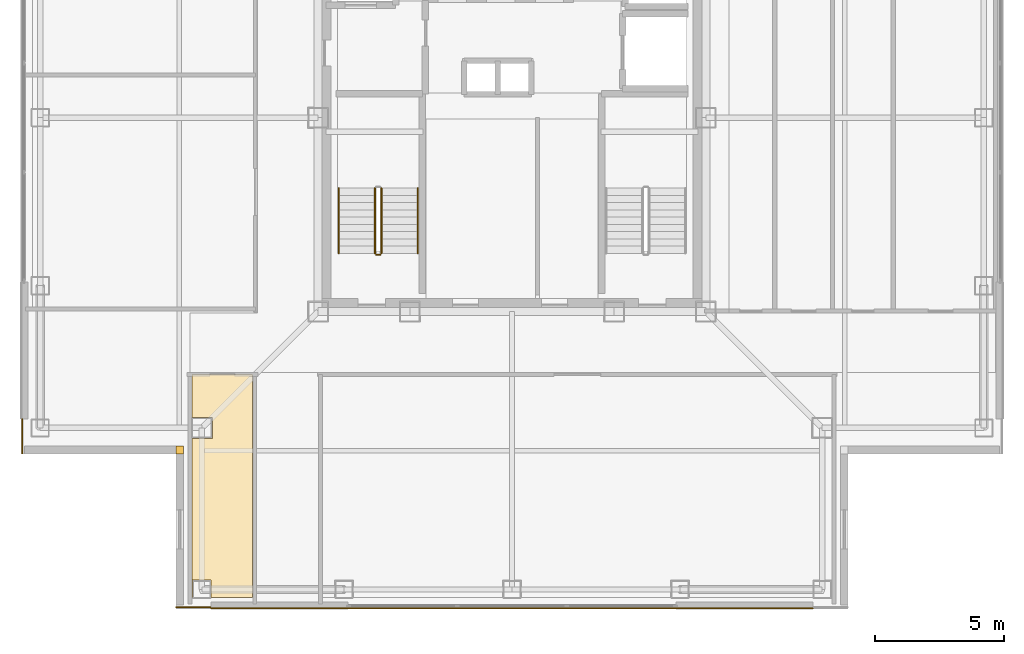
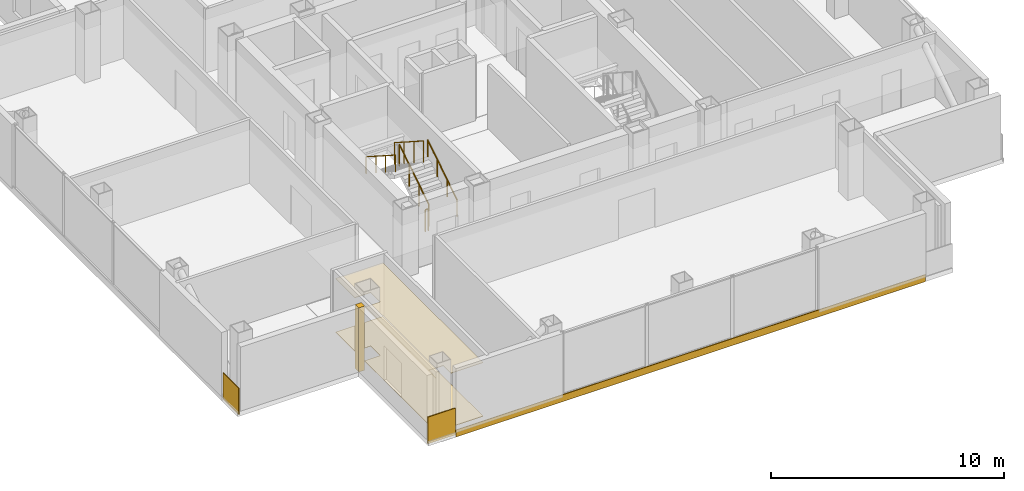
# One storey, part 11 of 16: 6 coverings, 5 railings.
"""IFC4 building model written with IfcOpenShell, lengths in metres."""

import ifcopenshell
import ifcopenshell.guid

model = None  # the IFC model being written
_history = None  # IfcOwnerHistory: only IFC2X3 demands one
_inside = {}  # id of a spatial element -> (the spatial element, [elements in it])
_under = {}  # id of a project, library or spatial element -> (it, [spatial elements below it])
_declared = {}  # id of a project -> (the project, [libraries it declares])
_typed = {}  # id of a type object -> (the type object, [elements of that type])
_made_of = {}  # id of a material, layer set ... -> (it, [elements and type objects made of it])


def new_model(schema):
    """Start an empty IFC model of exactly this schema.

    Asked for "IFC4X3", IfcOpenShell would pick the latest addendum, in which some entities
    have other attributes; the version numbers below select the first issue.
    IFC2X3 requires an IfcOwnerHistory on every rooted entity: one is made here for all.
    """
    global model, _history
    if schema == "IFC4X3":
        model = ifcopenshell.file(schema_version=(4, 3, 0, 0))
    else:
        model = ifcopenshell.file(schema=schema)
    _inside.clear()
    _under.clear()
    _declared.clear()
    _typed.clear()
    _made_of.clear()
    _history = None
    if model.schema == "IFC2X3":
        org = make("IfcOrganization", Name="unknown")
        user = make(
            "IfcPersonAndOrganization",
            ThePerson=make("IfcPerson", FamilyName="unknown"),
            TheOrganization=org,
        )
        app = make(
            "IfcApplication",
            ApplicationDeveloper=org,
            Version="unknown",
            ApplicationFullName="unknown",
            ApplicationIdentifier="unknown",
        )
        _history = make(
            "IfcOwnerHistory",
            OwningUser=user,
            OwningApplication=app,
            ChangeAction="ADDED",
            CreationDate=0,
        )
    return model


def make(cls, **values):
    """One entity of the class cls with the attributes given. An attribute that is None is left unset."""
    return model.create_entity(
        cls, **{name: value for name, value in values.items() if value is not None}
    )


def rooted(cls, **values):
    """An entity with a GlobalId (a new one), such as an element, a storey or a relation."""
    return make(cls, GlobalId=ifcopenshell.guid.new(), OwnerHistory=_history, **values)


def si_unit(unit_type, name, prefix=None):
    """IfcSIUnit, for example si_unit("LENGTHUNIT", "METRE", prefix="MILLI")."""
    return make("IfcSIUnit", UnitType=unit_type, Prefix=prefix, Name=name)


def assignment(units):
    """IfcUnitAssignment: the units of a project."""
    return None if units is None else make("IfcUnitAssignment", Units=units)


def point(xyz):
    """IfcCartesianPoint."""
    return None if xyz is None else make("IfcCartesianPoint", Coordinates=xyz)


def direction(xyz):
    """IfcDirection."""
    return None if xyz is None else make("IfcDirection", DirectionRatios=xyz)


def frame(location, z_axis=None, x_axis=None):
    """IfcAxis2Placement3D, a coordinate frame: its origin and axes. An axis left out is left unset."""
    return make(
        "IfcAxis2Placement3D",
        Location=point(location),
        Axis=direction(z_axis),
        RefDirection=direction(x_axis),
    )


def frame_2d(location, x_axis=None):
    """IfcAxis2Placement2D, a coordinate frame in the plane: its origin and x axis."""
    return make(
        "IfcAxis2Placement2D", Location=point(location), RefDirection=direction(x_axis)
    )


def origin():
    """The frame at (0, 0, 0) with its axes left unset."""
    return frame((0.0, 0.0, 0.0))


def origin_2d():
    """The frame at (0, 0) in the plane with its x axis left unset."""
    return frame_2d((0.0, 0.0))


def place(relative_to, where):
    """IfcLocalPlacement: puts the frame where relative to a parent placement (None: the world)."""
    return make(
        "IfcLocalPlacement", PlacementRelTo=relative_to, RelativePlacement=where
    )


def context(
    kind, dimensions, precision=None, world=None, true_north=None, identifier=None
):
    """IfcGeometricRepresentationContext, for example the 3D "Model" context."""
    return make(
        "IfcGeometricRepresentationContext",
        ContextIdentifier=identifier,
        ContextType=kind,
        CoordinateSpaceDimension=dimensions,
        Precision=precision,
        WorldCoordinateSystem=world,
        TrueNorth=true_north,
    )


def subcontext(parent, identifier, kind, view, scale=None):
    """IfcGeometricRepresentationSubContext, for example "Body" below "Model"."""
    return make(
        "IfcGeometricRepresentationSubContext",
        ContextIdentifier=identifier,
        ContextType=kind,
        ParentContext=parent,
        TargetScale=scale,
        TargetView=view,
    )


def project(units=None, contexts=None):
    """IfcProject with its units and contexts."""
    return rooted(
        "IfcProject",
        Name="project",
        RepresentationContexts=contexts,
        UnitsInContext=assignment(units),
    )


def spatial(cls, under=None, at=None, **own):
    """A site, building, storey or space (cls), placed at a placement, below another one or the project."""
    s = rooted(cls, ObjectPlacement=at, **own)
    if under is not None:
        _under.setdefault(under.id(), (under, []))[1].append(s)
    return s


def polyline(points):
    """IfcPolyline through the points."""
    return make("IfcPolyline", Points=[point(p) for p in points])


def profile(cls, at=None, kind="AREA", **sizes):
    """A parametric profile (cls). Its sizes go by their IFC names, for example OverallWidth=200.0."""
    return make(cls, ProfileType=kind, Position=at, **sizes)


def rectangle(**sizes):
    """IfcRectangleProfileDef."""
    return profile("IfcRectangleProfileDef", **sizes)


def circle(**sizes):
    """IfcCircleProfileDef."""
    return profile("IfcCircleProfileDef", **sizes)


def outline(outer, holes=None, kind="AREA"):
    """IfcArbitraryClosedProfileDef: a profile drawn as a closed curve; with holes, ...WithVoids."""
    if holes is None:
        return make("IfcArbitraryClosedProfileDef", ProfileType=kind, OuterCurve=outer)
    return make(
        "IfcArbitraryProfileDefWithVoids",
        ProfileType=kind,
        OuterCurve=outer,
        InnerCurves=holes,
    )


def extrude(swept, where, along, depth):
    """IfcExtrudedAreaSolid: the profile swept, set in the frame where, extruded along a direction by depth."""
    return make(
        "IfcExtrudedAreaSolid",
        SweptArea=swept,
        Position=where,
        ExtrudedDirection=direction(along),
        Depth=depth,
    )


def shape(context_of_items, identifier, shape_type, items):
    """IfcShapeRepresentation: the items that make up one representation, for example the "Body"."""
    return make(
        "IfcShapeRepresentation",
        ContextOfItems=context_of_items,
        RepresentationIdentifier=identifier,
        RepresentationType=shape_type,
        Items=items,
    )


def material(Name=None, Category=None):
    """IfcMaterial."""
    return make("IfcMaterial", Name=Name, Category=Category)


def layer(
    of_material, thickness, ventilated=None, Name=None, Category=None, Priority=None
):
    """IfcMaterialLayer: one layer of a wall or slab, of a material (None: an air gap)."""
    return make(
        "IfcMaterialLayer",
        Material=of_material,
        LayerThickness=thickness,
        IsVentilated=ventilated,
        Name=Name,
        Category=Category,
        Priority=Priority,
    )


def layer_set(layers, Name=None):
    """IfcMaterialLayerSet."""
    return make("IfcMaterialLayerSet", MaterialLayers=layers, LayerSetName=Name)


def made_of(thing, what):
    """Note that an element or type object is made of a material, layer set ...; save() writes the relation."""
    if what is not None:
        _made_of.setdefault(what.id(), (what, []))[1].append(thing)
    return thing


def type_object(cls, material=None, **own):
    """A type object (cls), such as IfcWallType, which elements share."""
    return made_of(rooted(cls, **own), material)


def element(
    cls,
    number,
    at=None,
    inside=None,
    cuts=None,
    type_object=None,
    material=None,
    context=None,
    identifier="Body",
    shape_type=None,
    held_by="IfcProductDefinitionShape",
    body=None,
    shapes=None,
    **own,
):
    """One element of the class cls, such as IfcWall. Its Tag is "e" and its number.

    at: its placement. inside: the storey or other place that contains it. cuts: it is an
    opening in that element (IfcRelVoidsElement). A single representation is given by context,
    identifier, shape_type and body (its items); several are given by shapes. held_by: the class
    of the entity that holds the representations. save() writes the other relations.
    """
    e = rooted(cls, Tag="e%d" % number, ObjectPlacement=at, **own)
    if body is not None:
        shapes = [shape(context, identifier, shape_type, body)]
    if shapes is not None:
        e.Representation = make(held_by, Representations=shapes)
    if inside is not None:
        _inside.setdefault(inside.id(), (inside, []))[1].append(e)
    if cuts is not None:
        rooted(
            "IfcRelVoidsElement", RelatingBuildingElement=cuts, RelatedOpeningElement=e
        )
    if type_object is not None:
        _typed.setdefault(type_object.id(), (type_object, []))[1].append(e)
    return made_of(e, material)


def aggregate(whole, parts):
    """IfcRelAggregates: a whole, such as a stair, and the parts it consists of."""
    return rooted("IfcRelAggregates", RelatingObject=whole, RelatedObjects=parts)


def save(model, path):
    """Write the relations noted so far, then the file.

    IfcRelAggregates (storeys below a building ...), IfcRelContainedInSpatialStructure (elements
    in a storey), IfcRelDefinesByType, IfcRelAssociatesMaterial and IfcRelDeclares: one each for
    every whole, place, type object, material and project.
    """
    for whole, parts in _under.values():
        aggregate(whole, parts)
    for where, things in _inside.values():
        rooted(
            "IfcRelContainedInSpatialStructure",
            RelatedElements=things,
            RelatingStructure=where,
        )
    for kind, things in _typed.values():
        rooted("IfcRelDefinesByType", RelatedObjects=things, RelatingType=kind)
    for what, things in _made_of.values():
        rooted("IfcRelAssociatesMaterial", RelatedObjects=things, RelatingMaterial=what)
    for by, libraries in _declared.values():
        rooted("IfcRelDeclares", RelatingContext=by, RelatedDefinitions=libraries)
    model.write(path)


model = new_model("IFC4")

# Units and contexts
model_context = context("Model", 3, precision=1e-05, world=origin(), true_north=direction((0.0, 1.0)))
body_context = subcontext(model_context, "Body", "Model", "MODEL_VIEW")
ifc_project = project(units=[si_unit("LENGTHUNIT", "METRE"), si_unit("AREAUNIT", "SQUARE_METRE"), si_unit("VOLUMEUNIT", "CUBIC_METRE"), si_unit("PLANEANGLEUNIT", "RADIAN"), si_unit("MASSUNIT", "GRAM", prefix="KILO")], contexts=[model_context])

# Site, building, storey
site_placement = place(None, origin())
site = spatial("IfcSite", under=ifc_project, at=site_placement, CompositionType="ELEMENT")
building_placement = place(site_placement, origin())
building = spatial("IfcBuilding", under=site, at=building_placement, Name="Trevonay Congress Spire", CompositionType="ELEMENT")
storey_placement = place(building_placement, frame((0.0, 0.0, 257.60009765625)))
storey = spatial("IfcBuildingStorey", under=building, at=storey_placement, Name="L67", CompositionType="ELEMENT", Elevation=257.60009765625)

# Coverings
ifc_material_1 = material(Name="Acoustic Mineral Fibre Board", Category="gypsum")
ifc_layer_1 = layer(ifc_material_1, 0.02490234375, Name="Acoustic Mineral Fibre Board")
ifc_layer_set_1 = layer_set([ifc_layer_1], Name="Acoustic Mineral Fibre Board")
covering_type_1 = type_object("IfcCoveringType", Name="COV-CEIL-ACOUSTIC", PredefinedType="CEILING", material=ifc_layer_set_1)
covering_1_placement = place(storey_placement, frame((0.0, 0.0, 2.809814453125)))
element("IfcCovering", 1, at=covering_1_placement, inside=storey, type_object=covering_type_1, Name="L67 Chef Tasting Private Dining Room acoustic suspended ceiling", PredefinedType="CEILING", context=body_context, shape_type="SweptSolid", body=[
    extrude(outline(polyline([(-12.3701171875, -18.550048828125), (-12.3701171875, -12.409912109375), (-11.590087890625, -12.409912109375), (-11.590087890625, -11.590087890625), (-12.3701171875, -11.590087890625), (-12.3701171875, -9.929931640625), (-10.030029296875, -9.929931640625), (-10.030029296875, -18.550048828125), (-11.639892578125, -18.550048828125), (-11.639892578125, -17.889892578125), (-12.360107421875, -17.889892578125), (-12.360107421875, -18.550048828125), (-12.3701171875, -18.550048828125)])), origin(), (0.0, 0.0, 1.0), 0.025146484375),
])
ifc_material_2 = material(Name="Polished Granite Floor Tile", Category="masonry")
ifc_layer_2 = layer(ifc_material_2, 0.02001953125, Name="Polished Granite Floor Tile")
ifc_layer_set_2 = layer_set([ifc_layer_2], Name="Polished Granite Floor Tile")
covering_type_2 = type_object("IfcCoveringType", Name="COV-FLOOR-STONE", PredefinedType="FLOORING", material=ifc_layer_set_2)
covering_2_placement = place(storey_placement, origin())
element("IfcCovering", 2, at=covering_2_placement, inside=storey, type_object=covering_type_2, Name="L67 Chef Tasting Private Dining Room floor finish", PredefinedType="FLOORING", context=body_context, shape_type="SweptSolid", body=[
    extrude(outline(polyline([(-12.3701171875, -18.550048828125), (-12.3701171875, -12.409912109375), (-11.590087890625, -12.409912109375), (-11.590087890625, -11.590087890625), (-12.3701171875, -11.590087890625), (-12.3701171875, -9.929931640625), (-10.030029296875, -9.929931640625), (-10.030029296875, -18.550048828125), (-11.639892578125, -18.550048828125), (-11.639892578125, -17.889892578125), (-12.360107421875, -17.889892578125), (-12.360107421875, -18.550048828125), (-12.3701171875, -18.550048828125)])), origin(), (0.0, 0.0, 1.0), 0.02001953125),
])
ifc_material_3 = material(Name="Pale Anodised Aluminium EN AW-6063-T6", Category="aluminium")
ifc_layer_3 = layer(ifc_material_3, 0.0400390625, Name="Pale Anodised Aluminium EN AW-6063-T6")
ifc_layer_set_3 = layer_set([ifc_layer_3], Name="Pale Anodised Aluminium EN AW-6063-T6")
covering_type_3 = type_object("IfcCoveringType", Name="COV-SPANDREL-PALE-METAL", PredefinedType="CLADDING", material=ifc_layer_set_3)
covering_3_placement = place(storey_placement, frame((-11.64990234375, -18.97998046875, -0.239990234375), z_axis=(0.0, 0.0, 1.0), x_axis=(1.0, 0.0, 0.0)))
element("IfcCovering", 3, at=covering_3_placement, inside=storey, type_object=covering_type_3, Name="L67 S pale-metal slab-edge spandrel cladding", PredefinedType="CLADDING", context=body_context, shape_type="SweptSolid", body=[
    extrude(rectangle(XDim=23.2998046875, YDim=0.0400390625, at=frame_2d((11.64990234375, 0.0))), origin(), (0.0, 0.0, 1.0), 0.35986328125),
])
covering_4_placement = place(storey_placement, origin())
element("IfcCovering", 4, at=covering_4_placement, inside=storey, type_object=covering_type_3, Name="L67 SW re-entrant notch corner closure trim", PredefinedType="CLADDING", context=body_context, shape_type="SweptSolid", body=[
    extrude(outline(polyline([(-13.0, -13.0), (-12.699951171875, -13.0), (-12.699951171875, -12.699951171875), (-13.0, -12.699951171875), (-13.0, -13.0)])), origin(), (0.0, 0.0, 1.0), 3.35986328125),
])
for number, where, z_axis, x_axis, name in (
    (5, (-18.93994140625, -11.64990234375, -0.150146484375), (0.0, 0.0, 1.0), (0.0, -1.0, 0.0), "L67 SW corner pier spandrel cladding 1"),
    (6, (-11.64990234375, -18.93994140625, -0.150146484375), (0.0, 0.0, 1.0), (-1.0, 0.0, 0.0), "L67 SW corner pier spandrel cladding 2"),
):
    element("IfcCovering", number, at=place(storey_placement, frame(where, z_axis=z_axis, x_axis=x_axis)), inside=storey, type_object=covering_type_3, Name=name, PredefinedType="CLADDING", context=body_context, shape_type="SweptSolid", body=[
        extrude(rectangle(XDim=1.35009765625, YDim=0.0400390625, at=frame_2d((0.675048828125, 0.0))), origin(), (0.0, 0.0, 1.0), 1.400146484375),
    ])

# Railings
railing_type_1 = type_object("IfcRailingType", Name="RAL-STAIR-GUARD-110", PredefinedType="GUARDRAIL", material=ifc_material_3)
railing_1_placement = place(storey_placement, frame((-5.050048828125, -5.25, 0.179931640625)))
element("IfcRailing", 7, at=railing_1_placement, inside=storey, type_object=railing_type_1, Name="L67 ST-1 stair guard 1", PredefinedType="GUARDRAIL", context=body_context, shape_type="SweptSolid", body=[
    extrude(circle(Radius=0.02392578125, at=origin_2d()), frame((0.0, 0.0, 1.1259765625), z_axis=(0.0, 0.841199657755, 0.540724639528), x_axis=(-1.0, 0.0, 0.0)), (0.0, 0.0, 1.0), 2.995849609375),
    extrude(circle(Radius=0.02099609375, at=origin_2d()), origin(), (0.0, 0.0, 1.0), 1.101806640625),
    extrude(circle(Radius=0.02099609375, at=origin_2d()), frame((0.0, 0.840087890625, 0.5400390625)), (0.0, 0.0, 1.0), 1.101806640625),
    extrude(circle(Radius=0.02099609375, at=origin_2d()), frame((0.0, 1.679931640625, 1.079833984375)), (0.0, 0.0, 1.0), 1.101806640625),
    extrude(circle(Radius=0.02099609375, at=origin_2d()), frame((0.0, 2.52001953125, 1.619873046875)), (0.0, 0.0, 1.0), 1.101806640625),
])
railing_2_placement = place(storey_placement, frame((-5.300048828125, -2.72998046875, 1.97998046875)))
element("IfcRailing", 8, at=railing_2_placement, inside=storey, type_object=railing_type_1, Name="L67 ST-1 stair guard 3", PredefinedType="GUARDRAIL", context=body_context, shape_type="SweptSolid", body=[
    extrude(circle(Radius=0.02392578125, at=origin_2d()), frame((0.0, 0.0, 1.1259765625), z_axis=(0.0, -0.841199657755, 0.540724639528), x_axis=(1.0, 0.0, 0.0)), (0.0, 0.0, 1.0), 2.995849609375),
    extrude(circle(Radius=0.02099609375, at=origin_2d()), origin(), (0.0, 0.0, 1.0), 1.101806640625),
    extrude(circle(Radius=0.02099609375, at=origin_2d()), frame((0.0, -0.840087890625, 0.5400390625)), (0.0, 0.0, 1.0), 1.101806640625),
    extrude(circle(Radius=0.02099609375, at=origin_2d()), frame((0.0, -1.679931640625, 1.079833984375)), (0.0, 0.0, 1.0), 1.101806640625),
    extrude(circle(Radius=0.02099609375, at=origin_2d()), frame((0.0, -2.52001953125, 1.619873046875)), (0.0, 0.0, 1.0), 1.101806640625),
])
railing_3_placement = place(storey_placement, frame((-5.10009765625, -5.300048828125, 0.0)))
element("IfcRailing", 9, at=railing_3_placement, inside=storey, type_object=railing_type_1, Name="L67 ST-1 stair guard 4", PredefinedType="GUARDRAIL", context=body_context, shape_type="SweptSolid", body=[
    extrude(circle(Radius=0.02392578125, at=origin_2d()), frame((0.0, 0.0, 1.1259765625), z_axis=(-1.0, 0.0, 0.0), x_axis=(0.0, -1.0, 0.0)), (0.0, 0.0, 1.0), 0.14990234375),
    extrude(circle(Radius=0.02099609375, at=origin_2d()), origin(), (0.0, 0.0, 1.0), 1.101806640625),
    extrude(circle(Radius=0.02099609375, at=origin_2d()), frame((-0.14990234375, 0.0, 0.0)), (0.0, 0.0, 1.0), 1.101806640625),
])
railing_type_2 = type_object("IfcRailingType", Name="RAL-STAIR-HANDRAIL", PredefinedType="HANDRAIL", material=ifc_material_3)
railing_4_placement = place(storey_placement, frame((-3.64990234375, -5.25, 0.179931640625)))
element("IfcRailing", 10, at=railing_4_placement, inside=storey, type_object=railing_type_2, Name="L67 ST-1 stair handrail 1", PredefinedType="HANDRAIL", context=body_context, shape_type="SweptSolid", body=[
    extrude(circle(Radius=0.02392578125, at=origin_2d()), frame((0.0, 0.0, 0.8759765625), z_axis=(0.0, 0.841199657755, 0.540724639528), x_axis=(-1.0, 0.0, 0.0)), (0.0, 0.0, 1.0), 2.995849609375),
    extrude(circle(Radius=0.02099609375, at=origin_2d()), origin(), (0.0, 0.0, 1.0), 0.851806640625),
    extrude(circle(Radius=0.02099609375, at=origin_2d()), frame((0.0, 0.840087890625, 0.5400390625)), (0.0, 0.0, 1.0), 0.851806640625),
    extrude(circle(Radius=0.02099609375, at=origin_2d()), frame((0.0, 1.679931640625, 1.079833984375)), (0.0, 0.0, 1.0), 0.851806640625),
    extrude(circle(Radius=0.02099609375, at=origin_2d()), frame((0.0, 2.52001953125, 1.619873046875)), (0.0, 0.0, 1.0), 0.851806640625),
])
railing_5_placement = place(storey_placement, frame((-6.699951171875, -2.72998046875, 1.97998046875)))
element("IfcRailing", 11, at=railing_5_placement, inside=storey, type_object=railing_type_2, Name="L67 ST-1 stair handrail 2", PredefinedType="HANDRAIL", context=body_context, shape_type="SweptSolid", body=[
    extrude(circle(Radius=0.02392578125, at=origin_2d()), frame((0.0, 0.0, 0.8759765625), z_axis=(0.0, -0.841199657755, 0.540724639528), x_axis=(1.0, 0.0, 0.0)), (0.0, 0.0, 1.0), 2.995849609375),
    extrude(circle(Radius=0.02099609375, at=origin_2d()), origin(), (0.0, 0.0, 1.0), 0.851806640625),
    extrude(circle(Radius=0.02099609375, at=origin_2d()), frame((0.0, -0.840087890625, 0.5400390625)), (0.0, 0.0, 1.0), 0.851806640625),
    extrude(circle(Radius=0.02099609375, at=origin_2d()), frame((0.0, -1.679931640625, 1.079833984375)), (0.0, 0.0, 1.0), 0.851806640625),
    extrude(circle(Radius=0.02099609375, at=origin_2d()), frame((0.0, -2.52001953125, 1.619873046875)), (0.0, 0.0, 1.0), 0.851806640625),
])

save(model, "model.ifc")
